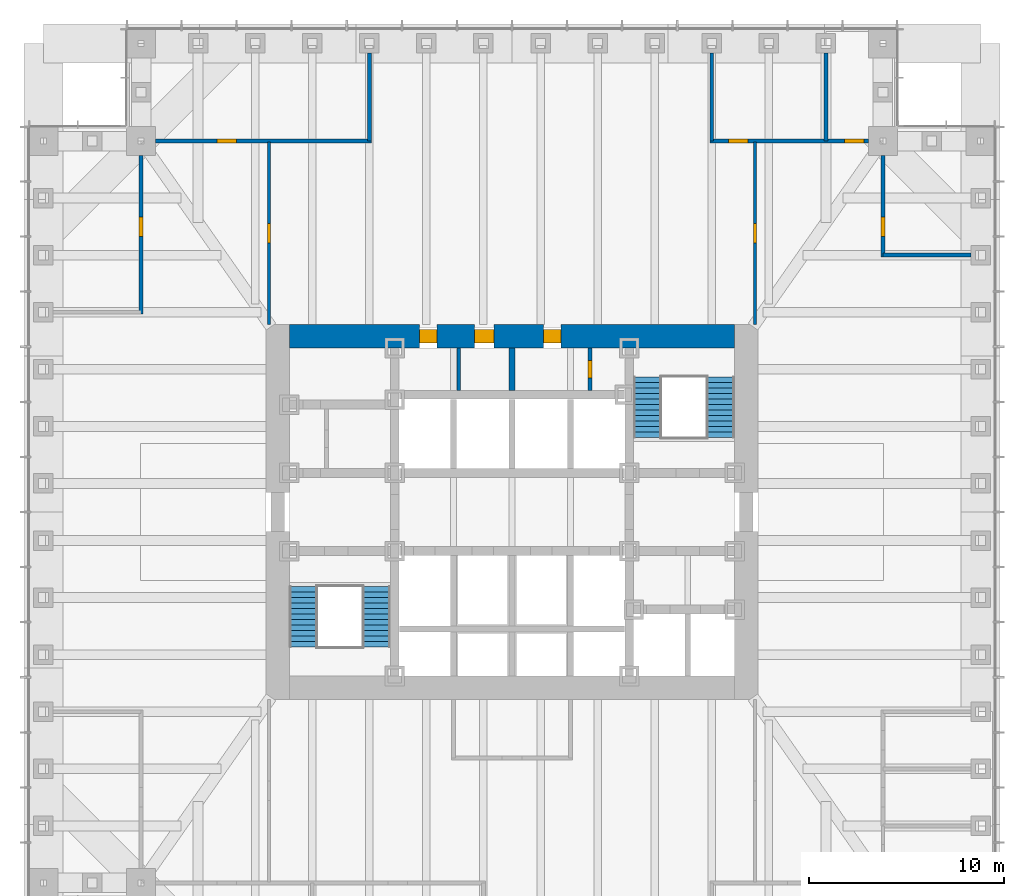
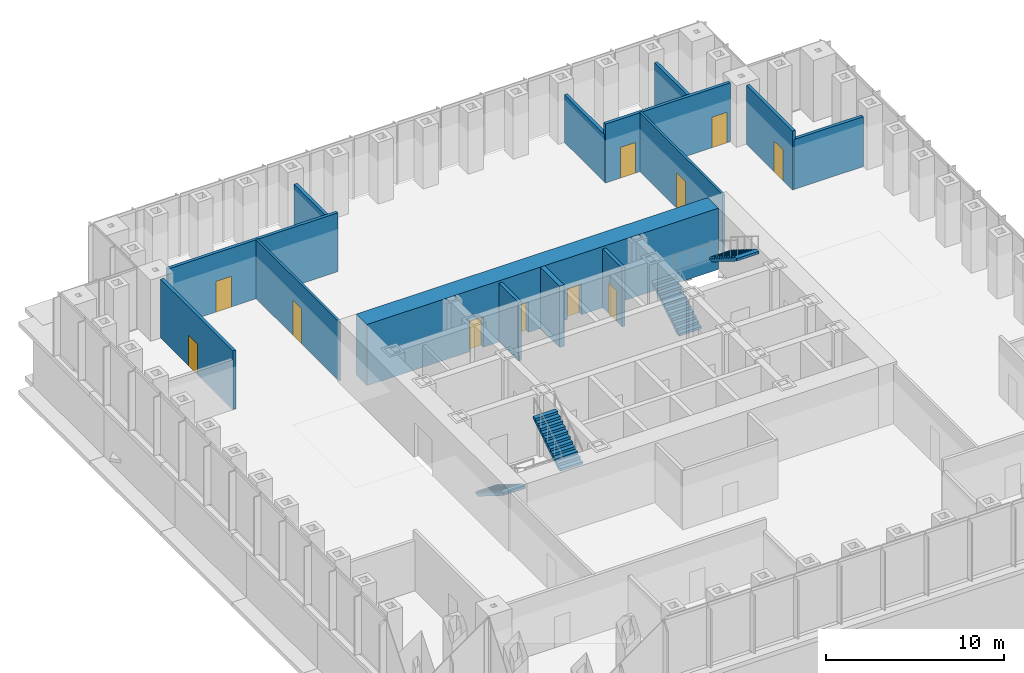
# One storey, part 10 of 16: 14 walls, 11 doors, 4 stair flights, 11 openings, 2 elements without a shape of their own.
"""IFC4 building model written with IfcOpenShell, lengths in metres."""

from ifc_helpers import new_model, si_unit, direction, frame, frame_2d, origin, place, context, subcontext, project, spatial, polyline, rectangle, outline, extrude, material, layer, layer_set, type_object, element, fill, aggregate, save


model = new_model("IFC4")

# Units and contexts
model_context = context("Model", 3, precision=1e-05, world=origin(), true_north=direction((0.0, 1.0)))
body_context = subcontext(model_context, "Body", "Model", "MODEL_VIEW")
ifc_project = project(units=[si_unit("LENGTHUNIT", "METRE"), si_unit("AREAUNIT", "SQUARE_METRE"), si_unit("VOLUMEUNIT", "CUBIC_METRE"), si_unit("PLANEANGLEUNIT", "RADIAN"), si_unit("MASSUNIT", "GRAM", prefix="KILO")], contexts=[model_context])

# Site, building, storey
site_placement = place(None, origin())
site = spatial("IfcSite", under=ifc_project, at=site_placement, CompositionType="ELEMENT")
building_placement = place(site_placement, origin())
building = spatial("IfcBuilding", under=site, at=building_placement, Name="Daluyong Arena Tower", CompositionType="ELEMENT")
storey_placement = place(building_placement, frame((0.0, 0.0, 34.89990234375)))
storey = spatial("IfcBuildingStorey", under=building, at=storey_placement, Name="L06", CompositionType="ELEMENT", Elevation=34.89990234375)

# Wall, openings, doors
ifc_material_1 = material(Name="Concrete fc' 60 MPa", Category="concrete")
ifc_layer_1 = layer(ifc_material_1, 1.199951171875)
ifc_layer_set_1 = layer_set([ifc_layer_1], Name="Concrete fc' 60 MPa")
wall_type_1 = type_object("IfcWallType", Name="Core wall 1200", PredefinedType="SHEAR", material=ifc_layer_set_1)
wall_1_placement = place(storey_placement, frame((44.60009765625, 89.0, 0.0), z_axis=(0.0, 0.0, 1.0), x_axis=(1.0, 0.0, 0.0)))
wall_1 = element("IfcWall", 1, at=wall_1_placement, inside=storey, type_object=wall_type_1, Name="core wall at L06", PredefinedType="SHEAR", context=body_context, shape_type="SweptSolid", body=[
    extrude(rectangle(XDim=22.7998046875, YDim=1.199951171875, at=frame_2d((11.39990234375, 0.0))), origin(), (0.0, 0.0, 1.0), 4.2001953125),
])
opening_1_placement = place(wall_1_placement, frame((9.47509765625, 0.0, 0.0)))
opening_1 = element("IfcOpeningElement", 2, at=opening_1_placement, cuts=wall_1, Name="Opening 06004", PredefinedType="OPENING", context=body_context, shape_type="SweptSolid", body=[
    extrude(rectangle(XDim=1.0, YDim=2.10009765625, at=frame_2d((0.5, 1.050048828125))), frame((0.0, 0.60986328125, 0.0), z_axis=(0.0, -1.0, 0.0), x_axis=(1.0, 0.0, 0.0)), (0.0, 0.0, 1.0), 1.219970703125),
])
opening_2_placement = place(wall_1_placement, frame((6.64990234375, 0.0, 0.0)))
opening_2 = element("IfcOpeningElement", 3, at=opening_2_placement, cuts=wall_1, Name="Opening 06005", PredefinedType="OPENING", context=body_context, shape_type="SweptSolid", body=[
    extrude(rectangle(XDim=0.89990234375, YDim=2.10009765625, at=frame_2d((0.449951171875, 1.050048828125))), frame((0.0, 0.60986328125, 0.0), z_axis=(0.0, -1.0, 0.0), x_axis=(1.0, 0.0, 0.0)), (0.0, 0.0, 1.0), 1.219970703125),
])
opening_3_placement = place(wall_1_placement, frame((13.012451171875, 0.0, 0.0)))
opening_3 = element("IfcOpeningElement", 4, at=opening_3_placement, cuts=wall_1, Name="Opening 06006", PredefinedType="OPENING", context=body_context, shape_type="SweptSolid", body=[
    extrude(rectangle(XDim=0.89990234375, YDim=2.10009765625, at=frame_2d((0.449951171875, 1.050048828125))), frame((0.0, 0.60986328125, 0.0), z_axis=(0.0, -1.0, 0.0), x_axis=(1.0, 0.0, 0.0)), (0.0, 0.0, 1.0), 1.219970703125),
])
ifc_material_2 = material(Name="Timber door", Category="wood")
door_type_1 = type_object("IfcDoorType", Name="Accessible toilet door 1000", OperationType="SINGLE_SWING_LEFT", PredefinedType="DOOR", material=ifc_material_2)
door_1_placement = place(opening_1_placement, origin())
door_1 = element("IfcDoor", 5, at=door_1_placement, inside=storey, type_object=door_type_1, Name="accessible toilet door 06004", OperationType="SINGLE_SWING_LEFT", OverallHeight=2.10009765625, OverallWidth=1.0, PredefinedType="DOOR", context=body_context, shape_type="SweptSolid", body=[
    extrude(rectangle(XDim=1.0, YDim=2.10009765625, at=frame_2d((0.5, 1.050048828125))), frame((0.0, 0.35009765625, 0.0), z_axis=(0.0, -1.0, 0.0), x_axis=(1.0, 0.0, 0.0)), (0.0, 0.0, 1.0), 0.699951171875),
])
fill(opening_1, door_1)
ifc_material_3 = material(Name="Steel door, fire rated", Category="steel")
door_type_2 = type_object("IfcDoorType", Name="Core room door 900", OperationType="SINGLE_SWING_LEFT", PredefinedType="DOOR", material=ifc_material_3)
door_2_placement = place(opening_2_placement, origin())
door_2 = element("IfcDoor", 6, at=door_2_placement, inside=storey, type_object=door_type_2, Name="parcel room door 06005", OperationType="SINGLE_SWING_LEFT", OverallHeight=2.10009765625, OverallWidth=0.89990234375, PredefinedType="DOOR", context=body_context, shape_type="SweptSolid", body=[
    extrude(rectangle(XDim=0.89990234375, YDim=2.10009765625, at=frame_2d((0.449951171875, 1.050048828125))), frame((0.0, 0.35009765625, 0.0), z_axis=(0.0, -1.0, 0.0), x_axis=(1.0, 0.0, 0.0)), (0.0, 0.0, 1.0), 0.699951171875),
])
fill(opening_2, door_2)
ifc_material_4 = material(Name="Steel door, fire rated", Category="steel")
door_type_3 = type_object("IfcDoorType", Name="Plant room door 900", OperationType="SINGLE_SWING_LEFT", PredefinedType="DOOR", material=ifc_material_4)
door_3_placement = place(opening_3_placement, origin())
door_3 = element("IfcDoor", 7, at=door_3_placement, inside=storey, type_object=door_type_3, Name="comms room door 06006", OperationType="SINGLE_SWING_LEFT", OverallHeight=2.10009765625, OverallWidth=0.89990234375, PredefinedType="DOOR", context=body_context, shape_type="SweptSolid", body=[
    extrude(rectangle(XDim=0.89990234375, YDim=2.10009765625, at=frame_2d((0.449951171875, 1.050048828125))), frame((0.0, 0.35009765625, 0.0), z_axis=(0.0, -1.0, 0.0), x_axis=(1.0, 0.0, 0.0)), (0.0, 0.0, 1.0), 0.699951171875),
])
fill(opening_3, door_3)

# Wall
ifc_material_5 = material(Name="Concrete block partition, fire rated", Category="concrete")
ifc_layer_2 = layer(ifc_material_5, 0.199951171875)
ifc_layer_set_2 = layer_set([ifc_layer_2], Name="Concrete block partition, fire rated")
wall_type_2 = type_object("IfcWallType", Name="Fire-rated partition 200", PredefinedType="PARTITIONING", material=ifc_layer_set_2)
wall_2_placement = place(storey_placement, frame((53.27490234375, 86.22509765625, 0.0), z_axis=(0.0, 0.0, 1.0), x_axis=(0.0, 1.0, 0.0)))
element("IfcWall", 8, at=wall_2_placement, inside=storey, type_object=wall_type_2, Name="core room partition at L06", PredefinedType="PARTITIONING", context=body_context, shape_type="SweptSolid", body=[
    extrude(rectangle(XDim=2.1748046875, YDim=0.199951171875, at=frame_2d((1.08740234375, 0.0))), origin(), (0.0, 0.0, 1.0), 4.0400390625),
])

# Wall, opening, door
wall_3_placement = place(storey_placement, frame((60.0, 86.22509765625, 0.0), z_axis=(0.0, 0.0, 1.0), x_axis=(0.0, 1.0, 0.0)))
wall_3 = element("IfcWall", 9, at=wall_3_placement, inside=storey, type_object=wall_type_2, Name="electrical riser enclosure at L06", PredefinedType="PARTITIONING", context=body_context, shape_type="SweptSolid", body=[
    extrude(rectangle(XDim=2.1748046875, YDim=0.199951171875, at=frame_2d((1.08740234375, 0.0))), origin(), (0.0, 0.0, 1.0), 4.0400390625),
])
opening_4_placement = place(wall_3_placement, frame((0.637451171875, 0.0, 0.0)))
opening_4 = element("IfcOpeningElement", 10, at=opening_4_placement, cuts=wall_3, Name="Opening 06007", PredefinedType="OPENING", context=body_context, shape_type="SweptSolid", body=[
    extrude(rectangle(XDim=0.89990234375, YDim=2.10009765625, at=frame_2d((0.449951171875, 1.050048828125))), frame((0.0, 0.10986328125, 0.0), z_axis=(0.0, -1.0, 0.0), x_axis=(1.0, 0.0, 0.0)), (0.0, 0.0, 1.0), 0.219970703125),
])
ifc_material_6 = material(Name="Steel door, fire rated", Category="steel")
door_type_4 = type_object("IfcDoorType", Name="Riser door 900", OperationType="SINGLE_SWING_LEFT", PredefinedType="DOOR", material=ifc_material_6)
door_4_placement = place(opening_4_placement, origin())
door_4 = element("IfcDoor", 11, at=door_4_placement, inside=storey, type_object=door_type_4, Name="riser door 06007", OperationType="SINGLE_SWING_LEFT", OverallHeight=2.10009765625, OverallWidth=0.89990234375, PredefinedType="DOOR", context=body_context, shape_type="SweptSolid", body=[
    extrude(rectangle(XDim=0.89990234375, YDim=2.10009765625, at=frame_2d((0.449951171875, 1.050048828125))), frame((0.0, 0.099609375, 0.0), z_axis=(0.0, -1.0, 0.0), x_axis=(1.0, 0.0, 0.0)), (0.0, 0.0, 1.0), 0.199462890625),
])
fill(opening_4, door_4)

ifc_material_7 = material(Name="Glazed aluminium partition", Category="aluminium")
ifc_layer_3 = layer(ifc_material_7, 0.14990234375)
ifc_layer_set_3 = layer_set([ifc_layer_3], Name="Glazed aluminium partition")
wall_type_3 = type_object("IfcWallType", Name="Glazed partition 150", PredefinedType="PARTITIONING", material=ifc_layer_set_3)
wall_4_placement = place(storey_placement, frame((43.550048828125, 89.60009765625, 0.0), z_axis=(0.0, 0.0, 1.0), x_axis=(0.0, 1.0, 0.0)))
wall_4 = element("IfcWall", 12, at=wall_4_placement, inside=storey, type_object=wall_type_3, Name="glazed partition at L06", PredefinedType="PARTITIONING", context=body_context, shape_type="SweptSolid", body=[
    extrude(rectangle(XDim=9.349853515625, YDim=0.14990234375, at=frame_2d((4.6748046875, 0.0))), origin(), (0.0, 0.0, 1.0), 4.0400390625),
])
opening_5_placement = place(wall_4_placement, frame((4.175048828125, 0.0, 0.0)))
opening_5 = element("IfcOpeningElement", 13, at=opening_5_placement, cuts=wall_4, Name="Opening 06036", PredefinedType="OPENING", context=body_context, shape_type="SweptSolid", body=[
    extrude(rectangle(XDim=1.0, YDim=2.39990234375, at=frame_2d((0.5, 1.199951171875))), frame((0.0, 0.0849609375, 0.0), z_axis=(0.0, -1.0, 0.0), x_axis=(1.0, 0.0, 0.0)), (0.0, 0.0, 1.0), 0.169921875),
])
ifc_material_8 = material(Name="Glazed aluminium door", Category="aluminium")
door_type_5 = type_object("IfcDoorType", Name="Meeting room glazed door 1000", OperationType="SINGLE_SWING_RIGHT", PredefinedType="DOOR", material=ifc_material_8)
door_5_placement = place(opening_5_placement, origin())
door_5 = element("IfcDoor", 14, at=door_5_placement, inside=storey, type_object=door_type_5, Name="team area screen door 06036", OperationType="SINGLE_SWING_RIGHT", OverallHeight=2.39990234375, OverallWidth=1.0, PredefinedType="DOOR", context=body_context, shape_type="SweptSolid", body=[
    extrude(rectangle(XDim=1.0, YDim=2.39990234375, at=frame_2d((0.5, 1.199951171875))), frame((0.0, 0.07470703125, 0.0), z_axis=(0.0, -1.0, 0.0), x_axis=(1.0, 0.0, 0.0)), (0.0, 0.0, 1.0), 0.1494140625),
])
fill(opening_5, door_5)

wall_5_placement = place(storey_placement, frame((68.449951171875, 89.60009765625, 0.0), z_axis=(0.0, 0.0, 1.0), x_axis=(0.0, 1.0, 0.0)))
wall_5 = element("IfcWall", 15, at=wall_5_placement, inside=storey, type_object=wall_type_3, Name="glazed partition at L06", PredefinedType="PARTITIONING", context=body_context, shape_type="SweptSolid", body=[
    extrude(rectangle(XDim=9.349853515625, YDim=0.14990234375, at=frame_2d((4.6748046875, 0.0))), origin(), (0.0, 0.0, 1.0), 4.0400390625),
])
opening_6_placement = place(wall_5_placement, frame((4.175048828125, 0.0, 0.0)))
opening_6 = element("IfcOpeningElement", 16, at=opening_6_placement, cuts=wall_5, Name="Opening 06037", PredefinedType="OPENING", context=body_context, shape_type="SweptSolid", body=[
    extrude(rectangle(XDim=1.0, YDim=2.39990234375, at=frame_2d((0.5, 1.199951171875))), frame((0.0, 0.0849609375, 0.0), z_axis=(0.0, -1.0, 0.0), x_axis=(1.0, 0.0, 0.0)), (0.0, 0.0, 1.0), 0.169921875),
])
door_6_placement = place(opening_6_placement, origin())
door_6 = element("IfcDoor", 17, at=door_6_placement, inside=storey, type_object=door_type_5, Name="team area screen door 06037", OperationType="SINGLE_SWING_RIGHT", OverallHeight=2.39990234375, OverallWidth=1.0, PredefinedType="DOOR", context=body_context, shape_type="SweptSolid", body=[
    extrude(rectangle(XDim=1.0, YDim=2.39990234375, at=frame_2d((0.5, 1.199951171875))), frame((0.0, 0.07470703125, 0.0), z_axis=(0.0, -1.0, 0.0), x_axis=(1.0, 0.0, 0.0)), (0.0, 0.0, 1.0), 0.1494140625),
])
fill(opening_6, door_6)

# Walls
ifc_material_9 = material(Name="Concrete fc' 45 MPa", Category="concrete")
ifc_layer_4 = layer(ifc_material_9, 0.300048828125)
ifc_layer_set_4 = layer_set([ifc_layer_4], Name="Concrete fc' 45 MPa")
wall_type_4 = type_object("IfcWallType", Name="Lift shaft wall 300", PredefinedType="SHEAR", material=ifc_layer_set_4)
wall_6_placement = place(storey_placement, frame((56.0, 86.22509765625, 0.0), z_axis=(0.0, 0.0, 1.0), x_axis=(0.0, 1.0, 0.0)))
element("IfcWall", 18, at=wall_6_placement, inside=storey, type_object=wall_type_4, Name="lift shaft wall at L06", PredefinedType="SHEAR", context=body_context, shape_type="SweptSolid", body=[
    extrude(rectangle(XDim=2.1748046875, YDim=0.300048828125, at=frame_2d((1.08740234375, 0.0))), origin(), (0.0, 0.0, 1.0), 4.2001953125),
])
ifc_material_10 = material(Name="Concrete block partition", Category="concrete")
ifc_layer_5 = layer(ifc_material_10, 0.199951171875)
ifc_layer_set_5 = layer_set([ifc_layer_5], Name="Concrete block partition")
wall_type_5 = type_object("IfcWallType", Name="Partition 200", PredefinedType="PARTITIONING", material=ifc_layer_set_5)
wall_7_placement = place(storey_placement, frame((75.0, 93.15380859375, 0.0), z_axis=(0.0, 0.0, 1.0), x_axis=(1.0, 0.0, 0.0)))
element("IfcWall", 19, at=wall_7_placement, inside=storey, type_object=wall_type_5, Name="partition at L06", PredefinedType="PARTITIONING", context=body_context, shape_type="SweptSolid", body=[
    extrude(rectangle(XDim=4.5, YDim=0.199951171875, at=frame_2d((2.25, 0.0))), origin(), (0.0, 0.0, 1.0), 3.427978515625),
])
for number, where, z_axis, x_axis, name in (
    (20, (48.6923828125, 99.0, 0.0), (0.0, 0.0, 1.0), (0.0, 1.0, 0.0), "partition at L06"),
    (21, (66.230712890625, 99.0, 0.0), (0.0, 0.0, 1.0), (0.0, 1.0, 0.0), "partition at L06"),
):
    element("IfcWall", number, at=place(storey_placement, frame(where, z_axis=z_axis, x_axis=x_axis)), inside=storey, type_object=wall_type_5, Name=name, PredefinedType="PARTITIONING", context=body_context, shape_type="SweptSolid", body=[
        extrude(rectangle(XDim=4.5, YDim=0.199951171875, at=frame_2d((2.25, 0.0))), origin(), (0.0, 0.0, 1.0), 3.278076171875),
    ])
wall_8_placement = place(storey_placement, frame((72.076904296875, 99.0, 0.0), z_axis=(0.0, 0.0, 1.0), x_axis=(0.0, 1.0, 0.0)))
element("IfcWall", 22, at=wall_8_placement, inside=storey, type_object=wall_type_5, Name="partition at L06", PredefinedType="PARTITIONING", context=body_context, shape_type="SweptSolid", body=[
    extrude(rectangle(XDim=4.5, YDim=0.199951171875, at=frame_2d((2.25, 0.0))), origin(), (0.0, 0.0, 1.0), 3.427978515625),
])

# Wall, opening, door
wall_9_placement = place(storey_placement, frame((37.75, 99.0, 0.0), z_axis=(0.0, 0.0, 1.0), x_axis=(1.0, 0.0, 0.0)))
wall_9 = element("IfcWall", 23, at=wall_9_placement, inside=storey, type_object=wall_type_5, Name="partition at L06", PredefinedType="PARTITIONING", context=body_context, shape_type="SweptSolid", body=[
    extrude(rectangle(XDim=11.042236328125, YDim=0.199951171875, at=frame_2d((5.52099609375, 0.0))), origin(), (0.0, 0.0, 1.0), 4.0400390625),
])
opening_7_placement = place(wall_9_placement, frame((3.134521484375, 0.0, 0.0)))
opening_7 = element("IfcOpeningElement", 24, at=opening_7_placement, cuts=wall_9, Name="Opening 06028", PredefinedType="OPENING", context=body_context, shape_type="SweptSolid", body=[
    extrude(rectangle(XDim=1.0, YDim=2.10009765625, at=frame_2d((0.5, 1.050048828125))), frame((0.0, 0.10986328125, 0.0), z_axis=(0.0, -1.0, 0.0), x_axis=(1.0, 0.0, 0.0)), (0.0, 0.0, 1.0), 0.219970703125),
])
ifc_material_11 = material(Name="Timber door", Category="wood")
door_type_6 = type_object("IfcDoorType", Name="Room door 1000", OperationType="SINGLE_SWING_LEFT", PredefinedType="DOOR", material=ifc_material_11)
door_7_placement = place(opening_7_placement, origin())
door_7 = element("IfcDoor", 25, at=door_7_placement, inside=storey, type_object=door_type_6, Name="training room door 06028", OperationType="SINGLE_SWING_LEFT", OverallHeight=2.10009765625, OverallWidth=1.0, PredefinedType="DOOR", context=body_context, shape_type="SweptSolid", body=[
    extrude(rectangle(XDim=1.0, YDim=2.10009765625, at=frame_2d((0.5, 1.050048828125))), frame((0.0, 0.099609375, 0.0), z_axis=(0.0, -1.0, 0.0), x_axis=(1.0, 0.0, 0.0)), (0.0, 0.0, 1.0), 0.199462890625),
])
fill(opening_7, door_7)

# Wall, openings, doors
wall_10_placement = place(storey_placement, frame((66.130859375, 99.0, 0.0), z_axis=(0.0, 0.0, 1.0), x_axis=(1.0, 0.0, 0.0)))
wall_10 = element("IfcWall", 26, at=wall_10_placement, inside=storey, type_object=wall_type_5, Name="partition at L06", PredefinedType="PARTITIONING", context=body_context, shape_type="SweptSolid", body=[
    extrude(rectangle(XDim=8.119140625, YDim=0.199951171875, at=frame_2d((4.0595703125, 0.0))), origin(), (0.0, 0.0, 1.0), 4.0400390625),
])
opening_8_placement = place(wall_10_placement, frame((0.96923828125, 0.0, 0.0)))
opening_8 = element("IfcOpeningElement", 27, at=opening_8_placement, cuts=wall_10, Name="Opening 06029", PredefinedType="OPENING", context=body_context, shape_type="SweptSolid", body=[
    extrude(rectangle(XDim=1.0, YDim=2.10009765625, at=frame_2d((0.5, 1.050048828125))), frame((0.0, 0.10986328125, 0.0), z_axis=(0.0, -1.0, 0.0), x_axis=(1.0, 0.0, 0.0)), (0.0, 0.0, 1.0), 0.219970703125),
])
opening_9_placement = place(wall_10_placement, frame((6.90771484375, 0.0, 0.0)))
opening_9 = element("IfcOpeningElement", 28, at=opening_9_placement, cuts=wall_10, Name="Opening 06030", PredefinedType="OPENING", context=body_context, shape_type="SweptSolid", body=[
    extrude(rectangle(XDim=1.0, YDim=2.10009765625, at=frame_2d((0.5, 1.050048828125))), frame((0.0, 0.10986328125, 0.0), z_axis=(0.0, -1.0, 0.0), x_axis=(1.0, 0.0, 0.0)), (0.0, 0.0, 1.0), 0.219970703125),
])
door_8_placement = place(opening_8_placement, origin())
door_8 = element("IfcDoor", 29, at=door_8_placement, inside=storey, type_object=door_type_6, Name="clinic door 06029", OperationType="SINGLE_SWING_LEFT", OverallHeight=2.10009765625, OverallWidth=1.0, PredefinedType="DOOR", context=body_context, shape_type="SweptSolid", body=[
    extrude(rectangle(XDim=1.0, YDim=2.10009765625, at=frame_2d((0.5, 1.050048828125))), frame((0.0, 0.099609375, 0.0), z_axis=(0.0, -1.0, 0.0), x_axis=(1.0, 0.0, 0.0)), (0.0, 0.0, 1.0), 0.199462890625),
])
fill(opening_8, door_8)
door_9_placement = place(opening_9_placement, origin())
door_9 = element("IfcDoor", 30, at=door_9_placement, inside=storey, type_object=door_type_6, Name="wellness room door 06030", OperationType="SINGLE_SWING_LEFT", OverallHeight=2.10009765625, OverallWidth=1.0, PredefinedType="DOOR", context=body_context, shape_type="SweptSolid", body=[
    extrude(rectangle(XDim=1.0, YDim=2.10009765625, at=frame_2d((0.5, 1.050048828125))), frame((0.0, 0.099609375, 0.0), z_axis=(0.0, -1.0, 0.0), x_axis=(1.0, 0.0, 0.0)), (0.0, 0.0, 1.0), 0.199462890625),
])
fill(opening_9, door_9)

# Wall, opening, door
wall_11_placement = place(storey_placement, frame((37.0, 90.130859375, 0.0), z_axis=(0.0, 0.0, 1.0), x_axis=(0.0, 1.0, 0.0)))
wall_11 = element("IfcWall", 31, at=wall_11_placement, inside=storey, type_object=wall_type_5, Name="partition at L06", PredefinedType="PARTITIONING", context=body_context, shape_type="SweptSolid", body=[
    extrude(rectangle(XDim=8.119140625, YDim=0.199951171875, at=frame_2d((4.0595703125, 0.0))), origin(), (0.0, 0.0, 1.0), 4.0400390625),
])
opening_10_placement = place(wall_11_placement, frame((3.984619140625, 0.0, 0.0)))
opening_10 = element("IfcOpeningElement", 32, at=opening_10_placement, cuts=wall_11, Name="Opening 06032", PredefinedType="OPENING", context=body_context, shape_type="SweptSolid", body=[
    extrude(rectangle(XDim=1.0, YDim=2.10009765625, at=frame_2d((0.5, 1.050048828125))), frame((0.0, 0.10986328125, 0.0), z_axis=(0.0, -1.0, 0.0), x_axis=(1.0, 0.0, 0.0)), (0.0, 0.0, 1.0), 0.219970703125),
])
door_10_placement = place(opening_10_placement, origin())
door_10 = element("IfcDoor", 33, at=door_10_placement, inside=storey, type_object=door_type_6, Name="locker room door 06032", OperationType="SINGLE_SWING_LEFT", OverallHeight=2.10009765625, OverallWidth=1.0, PredefinedType="DOOR", context=body_context, shape_type="SweptSolid", body=[
    extrude(rectangle(XDim=1.0, YDim=2.10009765625, at=frame_2d((0.5, 1.050048828125))), frame((0.0, 0.099609375, 0.0), z_axis=(0.0, -1.0, 0.0), x_axis=(1.0, 0.0, 0.0)), (0.0, 0.0, 1.0), 0.199462890625),
])
fill(opening_10, door_10)

wall_12_placement = place(storey_placement, frame((75.0, 93.053955078125, 0.0), z_axis=(0.0, 0.0, 1.0), x_axis=(0.0, 1.0, 0.0)))
wall_12 = element("IfcWall", 34, at=wall_12_placement, inside=storey, type_object=wall_type_5, Name="partition at L06", PredefinedType="PARTITIONING", context=body_context, shape_type="SweptSolid", body=[
    extrude(rectangle(XDim=5.196044921875, YDim=0.199951171875, at=frame_2d((2.59814453125, 0.0))), origin(), (0.0, 0.0, 1.0), 4.0400390625),
])
opening_11_placement = place(wall_12_placement, frame((1.0615234375, 0.0, 0.0)))
opening_11 = element("IfcOpeningElement", 35, at=opening_11_placement, cuts=wall_12, Name="Opening 06027", PredefinedType="OPENING", context=body_context, shape_type="SweptSolid", body=[
    extrude(rectangle(XDim=1.0, YDim=2.10009765625, at=frame_2d((0.5, 1.050048828125))), frame((0.0, 0.10986328125, 0.0), z_axis=(0.0, -1.0, 0.0), x_axis=(1.0, 0.0, 0.0)), (0.0, 0.0, 1.0), 0.219970703125),
])
door_11_placement = place(opening_11_placement, origin())
door_11 = element("IfcDoor", 36, at=door_11_placement, inside=storey, type_object=door_type_6, Name="pantry door 06027", OperationType="SINGLE_SWING_LEFT", OverallHeight=2.10009765625, OverallWidth=1.0, PredefinedType="DOOR", context=body_context, shape_type="SweptSolid", body=[
    extrude(rectangle(XDim=1.0, YDim=2.10009765625, at=frame_2d((0.5, 1.050048828125))), frame((0.0, 0.099609375, 0.0), z_axis=(0.0, -1.0, 0.0), x_axis=(1.0, 0.0, 0.0)), (0.0, 0.0, 1.0), 0.199462890625),
])
fill(opening_11, door_11)

# Stair, stair flights
ifc_material_12 = material(Name="Concrete fc' 35 MPa", Category="concrete")
stair_type = type_object("IfcStairType", Name="Core exit stair", PredefinedType="HALF_TURN_STAIR", material=ifc_material_12)
stair_1_placement = place(storey_placement, origin())
stair_1 = element("IfcStair", 37, at=stair_1_placement, inside=storey, type_object=stair_type, Name="exit stair A L06", PredefinedType="HALF_TURN_STAIR")
ifc_material_13 = material(Name="Concrete fc' 35 MPa", Category="concrete")
stair_flight_type = type_object("IfcStairFlightType", Name="Core stair flight", PredefinedType="STRAIGHT", material=ifc_material_13)
stair_flight_1_placement = place(storey_placement, frame((45.324951171875, 76.175048828125, 0.0), z_axis=(0.0, 0.0, 1.0), x_axis=(0.0, -1.0, 0.0)))
stair_flight_1 = element("IfcStairFlight", 38, at=stair_flight_1_placement, type_object=stair_flight_type, Name="STA flight 1", NumberOfRisers=12, NumberOfTreads=11, PredefinedType="STRAIGHT", RiserHeight=0.175, TreadLength=0.28, context=body_context, shape_type="SweptSolid", body=[
    extrude(outline(polyline([(0.0, 0.0), (0.0, 0.175048828125), (0.280029296875, 0.175048828125), (0.280029296875, 0.35009765625), (0.56005859375, 0.35009765625), (0.56005859375, 0.52490234375), (0.840087890625, 0.52490234375), (0.840087890625, 0.699951171875), (1.1201171875, 0.699951171875), (1.1201171875, 0.875), (1.39990234375, 0.875), (1.39990234375, 1.050048828125), (1.679931640625, 1.050048828125), (1.679931640625, 1.22509765625), (1.9599609375, 1.22509765625), (1.9599609375, 1.39990234375), (2.239990234375, 1.39990234375), (2.239990234375, 1.574951171875), (2.52001953125, 1.574951171875), (2.52001953125, 1.75), (2.800048828125, 1.75), (2.800048828125, 1.925048828125), (3.080078125, 1.925048828125), (3.080078125, 2.10009765625), (3.080078125, 1.748291015625), (0.28271484375, 0.0), (0.0, 0.0)])), frame((0.0, 0.72509765625, 0.0), z_axis=(0.0, -1.0, 0.0), x_axis=(1.0, 0.0, 0.0)), (0.0, 0.0, 1.0), 1.449951171875),
])
stair_flight_2_placement = place(storey_placement, frame((49.050048828125, 73.094970703125, 2.10009765625), z_axis=(0.0, 0.0, 1.0), x_axis=(0.0, 1.0, 0.0)))
stair_flight_2 = element("IfcStairFlight", 39, at=stair_flight_2_placement, type_object=stair_flight_type, Name="STA flight 2", NumberOfRisers=12, NumberOfTreads=11, PredefinedType="STRAIGHT", RiserHeight=0.175, TreadLength=0.28, context=body_context, shape_type="SweptSolid", body=[
    extrude(outline(polyline([(0.0, 0.0), (0.0, 0.175048828125), (0.280029296875, 0.175048828125), (0.280029296875, 0.35009765625), (0.56005859375, 0.35009765625), (0.56005859375, 0.52490234375), (0.840087890625, 0.52490234375), (0.840087890625, 0.699951171875), (1.1201171875, 0.699951171875), (1.1201171875, 0.875), (1.39990234375, 0.875), (1.39990234375, 1.050048828125), (1.679931640625, 1.050048828125), (1.679931640625, 1.22509765625), (1.9599609375, 1.22509765625), (1.9599609375, 1.39990234375), (2.239990234375, 1.39990234375), (2.239990234375, 1.574951171875), (2.52001953125, 1.574951171875), (2.52001953125, 1.75), (2.800048828125, 1.75), (2.800048828125, 1.925048828125), (3.080078125, 1.925048828125), (3.080078125, 2.10009765625), (3.080078125, 1.748291015625), (0.28271484375, 0.0), (0.0, 0.0)])), frame((0.0, 0.72509765625, 0.0), z_axis=(0.0, -1.0, 0.0), x_axis=(1.0, 0.0, 0.0)), (0.0, 0.0, 1.0), 1.449951171875),
])
aggregate(stair_1, [stair_flight_1, stair_flight_2])

stair_2_placement = place(storey_placement, origin())
stair_2 = element("IfcStair", 40, at=stair_2_placement, inside=storey, type_object=stair_type, Name="exit stair B L06", PredefinedType="HALF_TURN_STAIR")
stair_flight_3_placement = place(storey_placement, frame((62.949951171875, 83.824951171875, 0.0), z_axis=(0.0, 0.0, 1.0), x_axis=(0.0, 1.0, 0.0)))
stair_flight_3 = element("IfcStairFlight", 41, at=stair_flight_3_placement, type_object=stair_flight_type, Name="STB flight 1", NumberOfRisers=12, NumberOfTreads=11, PredefinedType="STRAIGHT", RiserHeight=0.175, TreadLength=0.28, context=body_context, shape_type="SweptSolid", body=[
    extrude(outline(polyline([(0.0, 0.0), (0.0, 0.175048828125), (0.280029296875, 0.175048828125), (0.280029296875, 0.35009765625), (0.56005859375, 0.35009765625), (0.56005859375, 0.52490234375), (0.840087890625, 0.52490234375), (0.840087890625, 0.699951171875), (1.1201171875, 0.699951171875), (1.1201171875, 0.875), (1.39990234375, 0.875), (1.39990234375, 1.050048828125), (1.679931640625, 1.050048828125), (1.679931640625, 1.22509765625), (1.9599609375, 1.22509765625), (1.9599609375, 1.39990234375), (2.239990234375, 1.39990234375), (2.239990234375, 1.574951171875), (2.52001953125, 1.574951171875), (2.52001953125, 1.75), (2.800048828125, 1.75), (2.800048828125, 1.925048828125), (3.080078125, 1.925048828125), (3.080078125, 2.10009765625), (3.080078125, 1.748291015625), (0.28271484375, 0.0), (0.0, 0.0)])), frame((0.0, 0.72509765625, 0.0), z_axis=(0.0, -1.0, 0.0), x_axis=(1.0, 0.0, 0.0)), (0.0, 0.0, 1.0), 1.449951171875),
])
stair_flight_4_placement = place(storey_placement, frame((66.675048828125, 86.905029296875, 2.10009765625), z_axis=(0.0, 0.0, 1.0), x_axis=(0.0, -1.0, 0.0)))
stair_flight_4 = element("IfcStairFlight", 42, at=stair_flight_4_placement, type_object=stair_flight_type, Name="STB flight 2", NumberOfRisers=12, NumberOfTreads=11, PredefinedType="STRAIGHT", RiserHeight=0.175, TreadLength=0.28, context=body_context, shape_type="SweptSolid", body=[
    extrude(outline(polyline([(0.0, 0.0), (0.0, 0.175048828125), (0.280029296875, 0.175048828125), (0.280029296875, 0.35009765625), (0.56005859375, 0.35009765625), (0.56005859375, 0.52490234375), (0.840087890625, 0.52490234375), (0.840087890625, 0.699951171875), (1.1201171875, 0.699951171875), (1.1201171875, 0.875), (1.39990234375, 0.875), (1.39990234375, 1.050048828125), (1.679931640625, 1.050048828125), (1.679931640625, 1.22509765625), (1.9599609375, 1.22509765625), (1.9599609375, 1.39990234375), (2.239990234375, 1.39990234375), (2.239990234375, 1.574951171875), (2.52001953125, 1.574951171875), (2.52001953125, 1.75), (2.800048828125, 1.75), (2.800048828125, 1.925048828125), (3.080078125, 1.925048828125), (3.080078125, 2.10009765625), (3.080078125, 1.748291015625), (0.28271484375, 0.0), (0.0, 0.0)])), frame((0.0, 0.72509765625, 0.0), z_axis=(0.0, -1.0, 0.0), x_axis=(1.0, 0.0, 0.0)), (0.0, 0.0, 1.0), 1.449951171875),
])
aggregate(stair_2, [stair_flight_3, stair_flight_4])

save(model, "model.ifc")
